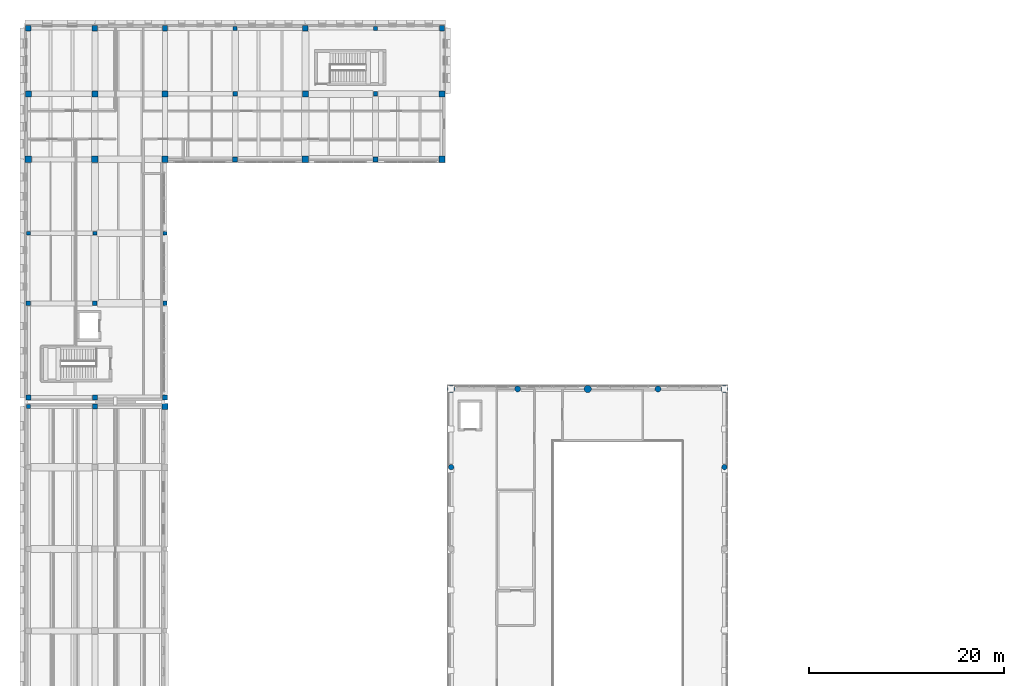
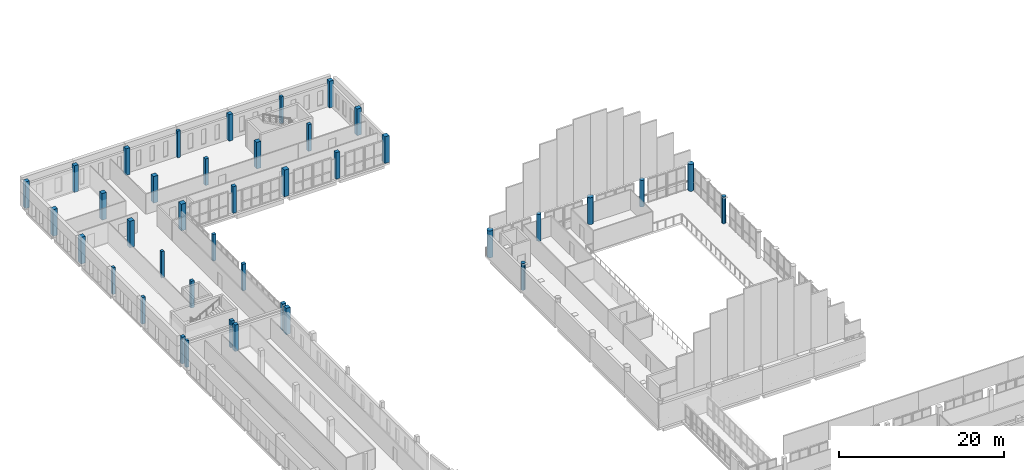
# One storey, part 4 of 76: 40 columns.
"""IFC4 building model written with IfcOpenShell, lengths in metres."""

from ifc_helpers import new_model, si_unit, direction, frame, origin, origin_2d, place, context, subcontext, project, spatial, rectangle, circle, extrude, material, material_profile, profile_set, type_object, element, save


model = new_model("IFC4")

# Units and contexts
model_context = context("Model", 3, precision=1e-05, world=origin(), true_north=direction((0.0, 1.0)))
body_context = subcontext(model_context, "Body", "Model", "MODEL_VIEW")
ifc_project = project(units=[si_unit("LENGTHUNIT", "METRE"), si_unit("AREAUNIT", "SQUARE_METRE"), si_unit("VOLUMEUNIT", "CUBIC_METRE"), si_unit("PLANEANGLEUNIT", "RADIAN"), si_unit("MASSUNIT", "GRAM", prefix="KILO")], contexts=[model_context])

# Site, building, storey
site_placement = place(None, origin())
site = spatial("IfcSite", under=ifc_project, at=site_placement, CompositionType="ELEMENT")
building_placement = place(site_placement, origin())
building = spatial("IfcBuilding", under=site, at=building_placement, Name="Vardoun Plaza Health Centre", CompositionType="ELEMENT")
storey_placement = place(building_placement, frame((0.0, 0.0, 4.5)))
storey = spatial("IfcBuildingStorey", under=building, at=storey_placement, Name="L01", CompositionType="ELEMENT", Elevation=4.5)

# Columns
ifc_material_1 = material(Name="Concrete C40/50", Category="concrete")
ifc_material_profile_1 = material_profile(ifc_material_1, rectangle(XDim=0.39990234375, YDim=0.39990234375, at=origin_2d()), Name="RC-COL 400x400")
ifc_profile_set_1 = profile_set([ifc_material_profile_1], Name="Concrete C40/50")
column_type_1 = type_object("IfcColumnType", Name="C-08", PredefinedType="COLUMN", material=ifc_profile_set_1)
column_1_placement = place(storey_placement, frame((4.8798828125, 76.1201171875, 0.0), z_axis=(0.0, 0.0, 1.0), x_axis=(1.0, 0.0, 0.0)))
element("IfcColumn", 1, at=column_1_placement, inside=storey, type_object=column_type_1, Name="V2 L01 Column C-V2-10", PredefinedType="COLUMN", context=body_context, shape_type="SweptSolid", body=[
    extrude(rectangle(XDim=0.39990234375, YDim=0.39990234375, at=origin_2d()), origin(), (0.0, 0.0, 1.0), 3.919921875),
])
for number, where, z_axis, x_axis, name in (
    (2, (4.8798828125, 93.900146484375, 0.0), (0.0, 0.0, 1.0), (1.0, 0.0, 0.0), "V3 L01 Column C-V3-03"),
    (3, (11.699951171875, 93.900146484375, 0.0), (0.0, 0.0, 1.0), (1.0, 0.0, 0.0), "V3 L01 Column C-V3-09"),
    (4, (18.89990234375, 93.900146484375, 0.0), (0.0, 0.0, 1.0), (1.0, 0.0, 0.0), "V3 L01 Column C-V3-15"),
    (5, (26.10009765625, 114.919921875, 0.0), (0.0, 0.0, 1.0), (1.0, 0.0, 0.0), "V3 L01 Column C-V3-21"),
    (6, (40.5, 114.919921875, 0.0), (0.0, 0.0, 1.0), (1.0, 0.0, 0.0), "V3 L01 Column C-V3-27"),
):
    element("IfcColumn", number, at=place(storey_placement, frame(where, z_axis=z_axis, x_axis=x_axis)), inside=storey, type_object=column_type_1, Name=name, PredefinedType="COLUMN", context=body_context, shape_type="SweptSolid", body=[
        extrude(rectangle(XDim=0.39990234375, YDim=0.39990234375, at=origin_2d()), origin(), (0.0, 0.0, 1.0), 3.93505859375),
    ])
ifc_material_2 = material(Name="Concrete C40/50", Category="concrete")
ifc_material_profile_2 = material_profile(ifc_material_2, rectangle(XDim=0.449951171875, YDim=0.449951171875, at=origin_2d()), Name="RC-COL 450x450")
ifc_profile_set_2 = profile_set([ifc_material_profile_2], Name="Concrete C40/50")
column_type_2 = type_object("IfcColumnType", Name="C-07", PredefinedType="COLUMN", material=ifc_profile_set_2)
for number, where, z_axis, x_axis, name in (
    (7, (4.8798828125, 86.699951171875, 0.0), (0.0, 0.0, 1.0), (1.0, 0.0, 0.0), "V3 L01 Column C-V3-02"),
    (8, (11.699951171875, 86.699951171875, 0.0), (0.0, 0.0, 1.0), (1.0, 0.0, 0.0), "V3 L01 Column C-V3-08"),
    (9, (18.89990234375, 86.699951171875, 0.0), (0.0, 0.0, 1.0), (1.0, 0.0, 0.0), "V3 L01 Column C-V3-14"),
    (10, (26.10009765625, 108.199951171875, 0.0), (0.0, 0.0, 1.0), (1.0, 0.0, 0.0), "V3 L01 Column C-V3-20"),
    (11, (40.5, 108.199951171875, 0.0), (0.0, 0.0, 1.0), (1.0, 0.0, 0.0), "V3 L01 Column C-V3-26"),
):
    element("IfcColumn", number, at=place(storey_placement, frame(where, z_axis=z_axis, x_axis=x_axis)), inside=storey, type_object=column_type_2, Name=name, PredefinedType="COLUMN", context=body_context, shape_type="SweptSolid", body=[
        extrude(rectangle(XDim=0.449951171875, YDim=0.449951171875, at=origin_2d()), origin(), (0.0, 0.0, 1.0), 3.93505859375),
    ])
ifc_material_3 = material(Name="Concrete C40/50", Category="concrete")
ifc_material_profile_3 = material_profile(ifc_material_3, rectangle(XDim=0.5, YDim=0.5, at=origin_2d()), Name="RC-COL 500x500")
ifc_profile_set_3 = profile_set([ifc_material_profile_3], Name="Concrete C40/50")
column_type_3 = type_object("IfcColumnType", Name="C-06", PredefinedType="COLUMN", material=ifc_profile_set_3)
column_2_placement = place(storey_placement, frame((11.699951171875, 76.1201171875, 0.0), z_axis=(0.0, 0.0, 1.0), x_axis=(1.0, 0.0, 0.0)))
element("IfcColumn", 12, at=column_2_placement, inside=storey, type_object=column_type_3, Name="V2 L01 Column C-V2-20", PredefinedType="COLUMN", context=body_context, shape_type="SweptSolid", body=[
    extrude(rectangle(XDim=0.5, YDim=0.5, at=origin_2d()), origin(), (0.0, 0.0, 1.0), 3.919921875),
])
for number, where, z_axis, x_axis, name in (
    (13, (4.8798828125, 77.06005859375, 0.0), (0.0, 0.0, 1.0), (1.0, 0.0, 0.0), "V3 L01 Column C-V3-01"),
    (14, (11.699951171875, 77.06005859375, 0.0), (0.0, 0.0, 1.0), (1.0, 0.0, 0.0), "V3 L01 Column C-V3-07"),
    (15, (18.89990234375, 77.06005859375, 0.0), (0.0, 0.0, 1.0), (1.0, 0.0, 0.0), "V3 L01 Column C-V3-13"),
    (16, (26.10009765625, 101.47998046875, 0.0), (0.0, 0.0, 1.0), (1.0, 0.0, 0.0), "V3 L01 Column C-V3-19"),
    (17, (40.5, 101.47998046875, 0.0), (0.0, 0.0, 1.0), (1.0, 0.0, 0.0), "V3 L01 Column C-V3-25"),
):
    element("IfcColumn", number, at=place(storey_placement, frame(where, z_axis=z_axis, x_axis=x_axis)), inside=storey, type_object=column_type_3, Name=name, PredefinedType="COLUMN", context=body_context, shape_type="SweptSolid", body=[
        extrude(rectangle(XDim=0.5, YDim=0.5, at=origin_2d()), origin(), (0.0, 0.0, 1.0), 3.93505859375),
    ])
ifc_material_4 = material(Name="Concrete C40/50", Category="concrete")
ifc_material_profile_4 = material_profile(ifc_material_4, rectangle(XDim=0.550048828125, YDim=0.550048828125, at=origin_2d()), Name="RC-COL 550x550")
ifc_profile_set_4 = profile_set([ifc_material_profile_4], Name="Concrete C40/50")
column_type_4 = type_object("IfcColumnType", Name="C-05", PredefinedType="COLUMN", material=ifc_profile_set_4)
for number, where, z_axis, x_axis, name in (
    (18, (4.8798828125, 114.919921875, 0.0), (0.0, 0.0, 1.0), (1.0, 0.0, 0.0), "V3 L01 Column C-V3-06"),
    (19, (11.699951171875, 114.919921875, 0.0), (0.0, 0.0, 1.0), (1.0, 0.0, 0.0), "V3 L01 Column C-V3-12"),
    (20, (18.89990234375, 114.919921875, 0.0), (0.0, 0.0, 1.0), (1.0, 0.0, 0.0), "V3 L01 Column C-V3-18"),
    (21, (33.300048828125, 114.919921875, 0.0), (0.0, 0.0, 1.0), (1.0, 0.0, 0.0), "V3 L01 Column C-V3-24"),
    (22, (47.320068359375, 114.919921875, 0.0), (0.0, 0.0, 1.0), (1.0, 0.0, 0.0), "V3 L01 Column C-V3-30"),
):
    element("IfcColumn", number, at=place(storey_placement, frame(where, z_axis=z_axis, x_axis=x_axis)), inside=storey, type_object=column_type_4, Name=name, PredefinedType="COLUMN", context=body_context, shape_type="SweptSolid", body=[
        extrude(rectangle(XDim=0.550048828125, YDim=0.550048828125, at=origin_2d()), origin(), (0.0, 0.0, 1.0), 3.93505859375),
    ])
ifc_material_5 = material(Name="Concrete C40/50", Category="concrete")
ifc_material_profile_5 = material_profile(ifc_material_5, rectangle(XDim=0.60009765625, YDim=0.60009765625, at=origin_2d()), Name="RC-COL 600x600")
ifc_profile_set_5 = profile_set([ifc_material_profile_5], Name="Concrete C40/50")
column_type_5 = type_object("IfcColumnType", Name="C-04", PredefinedType="COLUMN", material=ifc_profile_set_5)
column_3_placement = place(storey_placement, frame((18.89990234375, 76.1201171875, 0.0), z_axis=(0.0, 0.0, 1.0), x_axis=(1.0, 0.0, 0.0)))
element("IfcColumn", 23, at=column_3_placement, inside=storey, type_object=column_type_5, Name="V2 L01 Column C-V2-30", PredefinedType="COLUMN", context=body_context, shape_type="SweptSolid", body=[
    extrude(rectangle(XDim=0.60009765625, YDim=0.60009765625, at=origin_2d()), origin(), (0.0, 0.0, 1.0), 3.919921875),
])
for number, where, z_axis, x_axis, name in (
    (24, (4.8798828125, 108.199951171875, 0.0), (0.0, 0.0, 1.0), (1.0, 0.0, 0.0), "V3 L01 Column C-V3-05"),
    (25, (11.699951171875, 108.199951171875, 0.0), (0.0, 0.0, 1.0), (1.0, 0.0, 0.0), "V3 L01 Column C-V3-11"),
    (26, (18.89990234375, 108.199951171875, 0.0), (0.0, 0.0, 1.0), (1.0, 0.0, 0.0), "V3 L01 Column C-V3-17"),
    (27, (33.300048828125, 108.199951171875, 0.0), (0.0, 0.0, 1.0), (1.0, 0.0, 0.0), "V3 L01 Column C-V3-23"),
    (28, (47.320068359375, 108.199951171875, 0.0), (0.0, 0.0, 1.0), (1.0, 0.0, 0.0), "V3 L01 Column C-V3-29"),
):
    element("IfcColumn", number, at=place(storey_placement, frame(where, z_axis=z_axis, x_axis=x_axis)), inside=storey, type_object=column_type_5, Name=name, PredefinedType="COLUMN", context=body_context, shape_type="SweptSolid", body=[
        extrude(rectangle(XDim=0.60009765625, YDim=0.60009765625, at=origin_2d()), origin(), (0.0, 0.0, 1.0), 3.93505859375),
    ])
ifc_material_6 = material(Name="Concrete C40/50", Category="concrete")
ifc_material_profile_6 = material_profile(ifc_material_6, rectangle(XDim=0.64990234375, YDim=0.64990234375, at=origin_2d()), Name="RC-COL 650x650")
ifc_profile_set_6 = profile_set([ifc_material_profile_6], Name="Concrete C40/50")
column_type_6 = type_object("IfcColumnType", Name="C-03", PredefinedType="COLUMN", material=ifc_profile_set_6)
for number, where, z_axis, x_axis, name in (
    (29, (4.8798828125, 101.47998046875, 0.0), (0.0, 0.0, 1.0), (1.0, 0.0, 0.0), "V3 L01 Column C-V3-04"),
    (30, (11.699951171875, 101.47998046875, 0.0), (0.0, 0.0, 1.0), (1.0, 0.0, 0.0), "V3 L01 Column C-V3-10"),
    (31, (18.89990234375, 101.47998046875, 0.0), (0.0, 0.0, 1.0), (1.0, 0.0, 0.0), "V3 L01 Column C-V3-16"),
    (32, (33.300048828125, 101.47998046875, 0.0), (0.0, 0.0, 1.0), (1.0, 0.0, 0.0), "V3 L01 Column C-V3-22"),
    (33, (47.320068359375, 101.47998046875, 0.0), (0.0, 0.0, 1.0), (1.0, 0.0, 0.0), "V3 L01 Column C-V3-28"),
):
    element("IfcColumn", number, at=place(storey_placement, frame(where, z_axis=z_axis, x_axis=x_axis)), inside=storey, type_object=column_type_6, Name=name, PredefinedType="COLUMN", context=body_context, shape_type="SweptSolid", body=[
        extrude(rectangle(XDim=0.64990234375, YDim=0.64990234375, at=origin_2d()), origin(), (0.0, 0.0, 1.0), 3.93505859375),
    ])
ifc_material_7 = material(Name="Pale Limestone Concrete C40/50", Category="masonry")
ifc_material_profile_7 = material_profile(ifc_material_7, circle(Radius=0.27490234375, at=origin_2d()), Name="RC-COL D550")
ifc_profile_set_7 = profile_set([ifc_material_profile_7], Name="Pale Limestone Concrete C40/50")
column_type_7 = type_object("IfcColumnType", Name="C-16", PredefinedType="COLUMN", material=ifc_profile_set_7)
for number, where, z_axis, x_axis, name in (
    (34, (48.260009765625, 69.900146484375, 0.0), (0.0, 0.0, 1.0), (1.0, 0.0, 0.0), "V1 L01 Column C-V1-05"),
    (35, (76.300048828125, 69.900146484375, 0.0), (0.0, 0.0, 1.0), (1.0, 0.0, 0.0), "V1 L01 Column C-V1-17"),
):
    element("IfcColumn", number, at=place(storey_placement, frame(where, z_axis=z_axis, x_axis=x_axis)), inside=storey, type_object=column_type_7, Name=name, PredefinedType="COLUMN", context=body_context, shape_type="SweptSolid", body=[
        extrude(circle(Radius=0.27490234375, at=origin_2d()), origin(), (0.0, 0.0, 1.0), 3.9599609375),
    ])
ifc_material_8 = material(Name="Pale Limestone Concrete C40/50", Category="masonry")
ifc_material_profile_8 = material_profile(ifc_material_8, circle(Radius=0.300048828125, at=origin_2d()), Name="RC-COL D600")
ifc_profile_set_8 = profile_set([ifc_material_profile_8], Name="Pale Limestone Concrete C40/50")
column_type_8 = type_object("IfcColumnType", Name="C-15", PredefinedType="COLUMN", material=ifc_profile_set_8)
for number, where, z_axis, x_axis, name in (
    (36, (55.080078125, 77.919921875, 0.0), (0.0, 0.0, 1.0), (1.0, 0.0, 0.0), "V1 L01 Column C-V1-08"),
    (37, (69.47998046875, 77.919921875, 0.0), (0.0, 0.0, 1.0), (1.0, 0.0, 0.0), "V1 L01 Column C-V1-12"),
):
    element("IfcColumn", number, at=place(storey_placement, frame(where, z_axis=z_axis, x_axis=x_axis)), inside=storey, type_object=column_type_8, Name=name, PredefinedType="COLUMN", context=body_context, shape_type="SweptSolid", body=[
        extrude(circle(Radius=0.300048828125, at=origin_2d()), origin(), (0.0, 0.0, 1.0), 3.9599609375),
    ])
ifc_material_9 = material(Name="Pale Limestone Concrete C40/50", Category="masonry")
ifc_material_profile_9 = material_profile(ifc_material_9, circle(Radius=0.375, at=origin_2d()), Name="RC-COL D750")
ifc_profile_set_9 = profile_set([ifc_material_profile_9], Name="Pale Limestone Concrete C40/50")
column_type_9 = type_object("IfcColumnType", Name="C-13", PredefinedType="COLUMN", material=ifc_profile_set_9)
for number, where, z_axis, x_axis, name in (
    (38, (48.260009765625, 77.919921875, 0.0), (0.0, 0.0, 1.0), (1.0, 0.0, 0.0), "V1 L01 Column C-V1-06"),
    (39, (62.280029296875, 77.919921875, 0.0), (0.0, 0.0, 1.0), (1.0, 0.0, 0.0), "V1 L01 Column C-V1-10"),
    (40, (76.300048828125, 77.919921875, 0.0), (0.0, 0.0, 1.0), (1.0, 0.0, 0.0), "V1 L01 Column C-V1-18"),
):
    element("IfcColumn", number, at=place(storey_placement, frame(where, z_axis=z_axis, x_axis=x_axis)), inside=storey, type_object=column_type_9, Name=name, PredefinedType="COLUMN", context=body_context, shape_type="SweptSolid", body=[
        extrude(circle(Radius=0.375, at=origin_2d()), origin(), (0.0, 0.0, 1.0), 3.9599609375),
    ])

save(model, "model.ifc")
